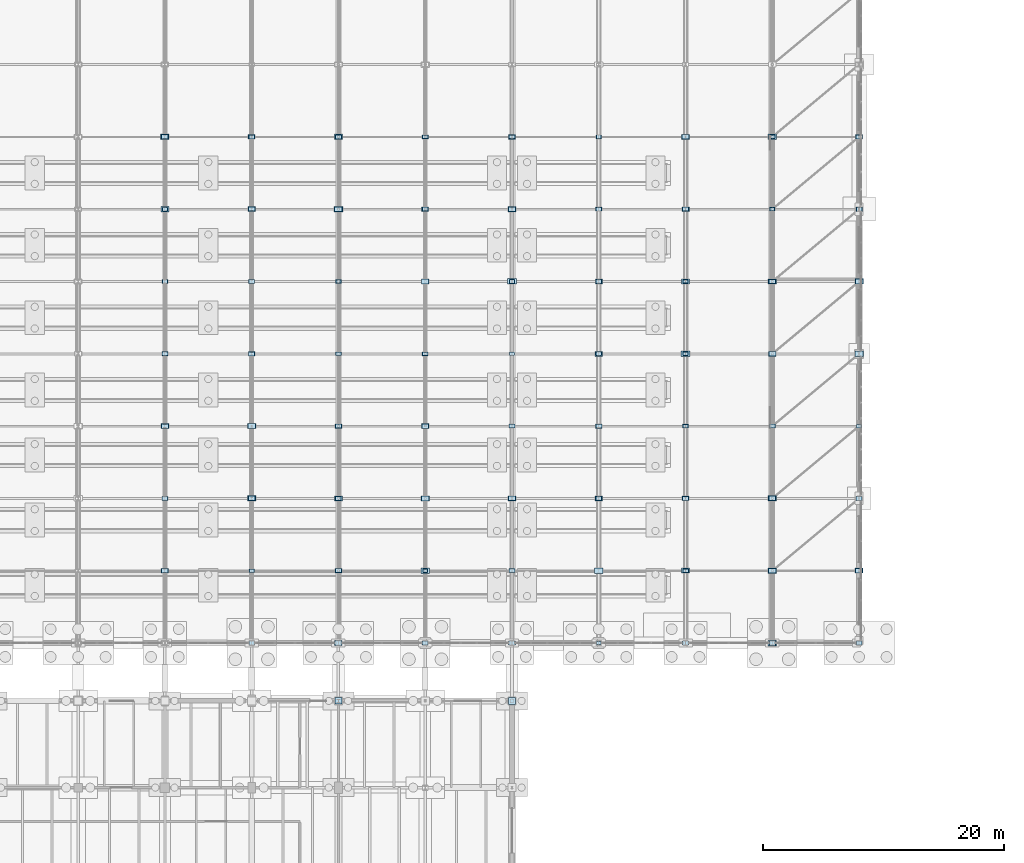
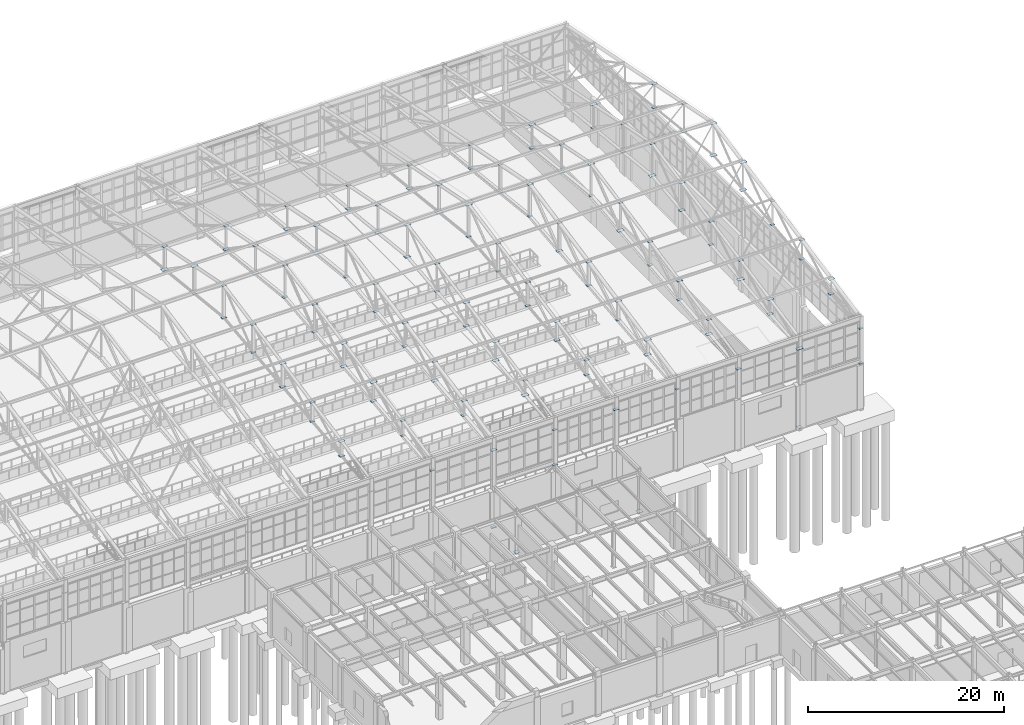
# One storey, part 259 of 293: 140 plates.
"""IFC4 building model written with IfcOpenShell, lengths in metres."""

from ifc_helpers import new_model, si_unit, direction, frame, origin, origin_2d, place, context, subcontext, project, spatial, rectangle, extrude, material, layer, layer_set, type_object, element, save


model = new_model("IFC4")

# Units and contexts
model_context = context("Model", 3, precision=1e-05, world=origin(), true_north=direction((0.0, 1.0)))
body_context = subcontext(model_context, "Body", "Model", "MODEL_VIEW")
ifc_project = project(units=[si_unit("LENGTHUNIT", "METRE"), si_unit("AREAUNIT", "SQUARE_METRE"), si_unit("VOLUMEUNIT", "CUBIC_METRE"), si_unit("PLANEANGLEUNIT", "RADIAN"), si_unit("MASSUNIT", "GRAM", prefix="KILO")], contexts=[model_context])

# Site, building, storey
site_placement = place(None, origin())
site = spatial("IfcSite", under=ifc_project, at=site_placement, CompositionType="ELEMENT")
building_placement = place(site_placement, origin())
building = spatial("IfcBuilding", under=site, at=building_placement, Name="Kemerveld Promenade Tramway Depot", CompositionType="ELEMENT")
storey_placement = place(building_placement, origin())
storey = spatial("IfcBuildingStorey", under=building, at=storey_placement, Name="L00", CompositionType="ELEMENT", Elevation=0.0)

# Plates
ifc_material = material(Name="Steel S355", Category="steel")
ifc_layer_1 = layer(ifc_material, 0.030029296875)
ifc_layer_set_1 = layer_set([ifc_layer_1], Name="PL-BP07")
plate_type_1 = type_object("IfcPlateType", Name="PL-BP07", PredefinedType="USERDEFINED", material=ifc_layer_set_1)
plate_1_placement = place(storey_placement, frame((158.39990234375, 79.199951171875, 0.0), z_axis=(0.0, 0.0, 1.0), x_axis=(1.0, 0.0, 0.0)))
element("IfcPlate", 1, at=plate_1_placement, inside=storey, type_object=plate_type_1, Name="BP-23-M", ObjectType="BASE_PLATE", PredefinedType="USERDEFINED", context=body_context, shape_type="SweptSolid", body=[
    extrude(rectangle(XDim=0.60009765625, YDim=0.60009765625, at=origin_2d()), origin(), (0.0, 0.0, 1.0), 0.030029296875),
])
ifc_layer_2 = layer(ifc_material, 0.02490234375)
ifc_layer_set_2 = layer_set([ifc_layer_2], Name="PL-BP08")
plate_type_2 = type_object("IfcPlateType", Name="PL-BP08", PredefinedType="USERDEFINED", material=ifc_layer_set_2)
plate_2_placement = place(storey_placement, frame((144.0, 79.199951171875, 0.0), z_axis=(0.0, 0.0, 1.0), x_axis=(1.0, 0.0, 0.0)))
element("IfcPlate", 2, at=plate_2_placement, inside=storey, type_object=plate_type_2, Name="BP-21-M", ObjectType="BASE_PLATE", PredefinedType="USERDEFINED", context=body_context, shape_type="SweptSolid", body=[
    extrude(rectangle(XDim=0.550048828125, YDim=0.550048828125, at=origin_2d()), origin(), (0.0, 0.0, 1.0), 0.02490234375),
])
ifc_layer_3 = layer(ifc_material, 0.02490234375)
ifc_layer_set_3 = layer_set([ifc_layer_3], Name="PL-BP11")
plate_type_3 = type_object("IfcPlateType", Name="PL-BP11", PredefinedType="USERDEFINED", material=ifc_layer_set_3)
plate_3_placement = place(storey_placement, frame((180.0, 84.0, 0.0), z_axis=(0.0, 0.0, 1.0), x_axis=(1.0, 0.0, 0.0)))
element("IfcPlate", 3, at=plate_3_placement, inside=storey, type_object=plate_type_3, Name="BP-26-N", ObjectType="BASE_PLATE", PredefinedType="USERDEFINED", context=body_context, shape_type="SweptSolid", body=[
    extrude(rectangle(XDim=0.5, YDim=0.5, at=origin_2d()), origin(), (0.0, 0.0, 1.0), 0.02490234375),
])
ifc_layer_4 = layer(ifc_material, 0.02490234375)
ifc_layer_set_4 = layer_set([ifc_layer_4], Name="PL-GS01")
plate_type_4 = type_object("IfcPlateType", Name="PL-GS01", PredefinedType="USERDEFINED", material=ifc_layer_set_4)
for number, where, z_axis, x_axis, name in (
    (4, (151.199951171875, 96.0, 11.107666015625), (0.0, 0.0, 1.0), (1.0, 0.0, 0.0), "GP-22-02"),
    (5, (129.60009765625, 102.0, 14.6875), (0.0, 0.0, 1.0), (1.0, 0.0, 0.0), "GP-NODE-0316"),
    (6, (136.800048828125, 120.0, 12.427490234375), (0.0, 0.0, 1.0), (1.0, 0.0, 0.0), "GP-NODE-0340"),
    (7, (144.0, 96.0, 11.107666015625), (0.0, 0.0, 1.0), (1.0, 0.0, 0.0), "GP-NODE-0352"),
    (8, (151.199951171875, 114.0, 17.087646484375), (0.0, 0.0, 1.0), (1.0, 0.0, 0.0), "GP-NODE-0376"),
    (9, (158.39990234375, 96.0, 13.487548828125), (0.0, 0.0, 1.0), (1.0, 0.0, 0.0), "GP-NODE-0388"),
    (10, (165.60009765625, 108.0, 12.427490234375), (0.0, 0.0, 1.0), (1.0, 0.0, 0.0), "GP-NODE-0412"),
    (11, (172.800048828125, 90.0, 10.447509765625), (0.0, 0.0, 1.0), (1.0, 0.0, 0.0), "GP-NODE-0424"),
    (12, (172.800048828125, 126.0, 14.6875), (0.0, 0.0, 1.0), (1.0, 0.0, 0.0), "GP-NODE-0436"),
    (13, (180.0, 108.0, 15.887451171875), (0.0, 0.0, 1.0), (1.0, 0.0, 0.0), "GP-NODE-0448"),
    (14, (187.199951171875, 90.0, 12.28759765625), (0.0, 0.0, 1.0), (1.0, 0.0, 0.0), "GP-NODE-0460"),
):
    element("IfcPlate", number, at=place(storey_placement, frame(where, z_axis=z_axis, x_axis=x_axis)), inside=storey, type_object=plate_type_4, Name=name, ObjectType="GUSSET_PLATE", PredefinedType="USERDEFINED", context=body_context, shape_type="SweptSolid", body=[
        extrude(rectangle(XDim=0.64990234375, YDim=0.419921875, at=origin_2d()), origin(), (0.0, 0.0, 1.0), 0.02490234375),
    ])
ifc_layer_5 = layer(ifc_material, 0.02490234375)
ifc_layer_set_5 = layer_set([ifc_layer_5], Name="PL-GS02")
plate_type_5 = type_object("IfcPlateType", Name="PL-GS02", PredefinedType="USERDEFINED", material=ifc_layer_set_5)
for number, where, z_axis, x_axis, name in (
    (15, (151.199951171875, 114.0, 13.087646484375), (0.0, 0.0, 1.0), (1.0, 0.0, 0.0), "GP-22-05"),
    (16, (129.60009765625, 102.0, 11.767578125), (0.0, 0.0, 1.0), (1.0, 0.0, 0.0), "GP-NODE-0317"),
    (17, (136.800048828125, 126.0, 11.767578125), (0.0, 0.0, 1.0), (1.0, 0.0, 0.0), "GP-NODE-0341"),
    (18, (144.0, 102.0, 14.6875), (0.0, 0.0, 1.0), (1.0, 0.0, 0.0), "GP-NODE-0353"),
    (19, (151.199951171875, 120.0, 12.427490234375), (0.0, 0.0, 1.0), (1.0, 0.0, 0.0), "GP-NODE-0377"),
    (20, (158.39990234375, 96.0, 11.107666015625), (0.0, 0.0, 1.0), (1.0, 0.0, 0.0), "GP-NODE-0389"),
    (21, (165.60009765625, 114.0, 17.087646484375), (0.0, 0.0, 1.0), (1.0, 0.0, 0.0), "GP-NODE-0413"),
    (22, (172.800048828125, 96.0, 13.487548828125), (0.0, 0.0, 1.0), (1.0, 0.0, 0.0), "GP-NODE-0425"),
    (23, (180.0, 108.0, 12.427490234375), (0.0, 0.0, 1.0), (1.0, 0.0, 0.0), "GP-NODE-0449"),
    (24, (187.199951171875, 90.0, 10.447509765625), (0.0, 0.0, 1.0), (1.0, 0.0, 0.0), "GP-NODE-0461"),
    (25, (187.199951171875, 126.0, 14.6875), (0.0, 0.0, 1.0), (1.0, 0.0, 0.0), "GP-NODE-0473"),
):
    element("IfcPlate", number, at=place(storey_placement, frame(where, z_axis=z_axis, x_axis=x_axis)), inside=storey, type_object=plate_type_5, Name=name, ObjectType="GUSSET_PLATE", PredefinedType="USERDEFINED", context=body_context, shape_type="SweptSolid", body=[
        extrude(rectangle(XDim=0.580078125, YDim=0.3798828125, at=origin_2d()), origin(), (0.0, 0.0, 1.0), 0.02490234375),
    ])
ifc_layer_6 = layer(ifc_material, 0.02001953125)
ifc_layer_set_6 = layer_set([ifc_layer_6], Name="PL-GS03")
plate_type_6 = type_object("IfcPlateType", Name="PL-GS03", PredefinedType="USERDEFINED", material=ifc_layer_set_6)
for number, where, z_axis, x_axis, name in (
    (26, (129.60009765625, 108.0, 15.889892578125), (0.0, 0.0, 1.0), (1.0, 0.0, 0.0), "GP-NODE-0318"),
    (27, (129.60009765625, 114.0, 13.090087890625), (0.0, 0.0, 1.0), (1.0, 0.0, 0.0), "GP-NODE-0330"),
    (28, (136.800048828125, 120.0, 15.889892578125), (0.0, 0.0, 1.0), (1.0, 0.0, 0.0), "GP-NODE-0342"),
    (29, (144.0, 102.0, 11.77001953125), (0.0, 0.0, 1.0), (1.0, 0.0, 0.0), "GP-NODE-0354"),
    (30, (151.199951171875, 126.0, 11.77001953125), (0.0, 0.0, 1.0), (1.0, 0.0, 0.0), "GP-NODE-0378"),
    (31, (158.39990234375, 102.0, 14.68994140625), (0.0, 0.0, 1.0), (1.0, 0.0, 0.0), "GP-NODE-0390"),
    (32, (165.60009765625, 120.0, 12.429931640625), (0.0, 0.0, 1.0), (1.0, 0.0, 0.0), "GP-NODE-0414"),
    (33, (172.800048828125, 96.0, 11.110107421875), (0.0, 0.0, 1.0), (1.0, 0.0, 0.0), "GP-NODE-0426"),
    (34, (180.0, 114.0, 17.090087890625), (0.0, 0.0, 1.0), (1.0, 0.0, 0.0), "GP-NODE-0450"),
    (35, (187.199951171875, 96.0, 13.489990234375), (0.0, 0.0, 1.0), (1.0, 0.0, 0.0), "GP-NODE-0462"),
):
    element("IfcPlate", number, at=place(storey_placement, frame(where, z_axis=z_axis, x_axis=x_axis)), inside=storey, type_object=plate_type_6, Name=name, ObjectType="GUSSET_PLATE", PredefinedType="USERDEFINED", context=body_context, shape_type="SweptSolid", body=[
        extrude(rectangle(XDim=0.52001953125, YDim=0.340087890625, at=origin_2d()), origin(), (0.0, 0.0, 1.0), 0.02001953125),
    ])
ifc_layer_7 = layer(ifc_material, 0.02001953125)
ifc_layer_set_7 = layer_set([ifc_layer_7], Name="PL-GS04")
plate_type_7 = type_object("IfcPlateType", Name="PL-GS04", PredefinedType="USERDEFINED", material=ifc_layer_set_7)
for number, where, z_axis, x_axis, name in (
    (36, (165.60009765625, 96.0, 11.110107421875), (0.0, 0.0, 1.0), (1.0, 0.0, 0.0), "GP-24-02"),
    (37, (129.60009765625, 108.0, 12.429931640625), (0.0, 0.0, 1.0), (1.0, 0.0, 0.0), "GP-NODE-0319"),
    (38, (136.800048828125, 84.0, 9.7900390625), (0.0, 0.0, 1.0), (1.0, 0.0, 0.0), "GP-NODE-0331"),
    (39, (136.800048828125, 126.0, 14.68994140625), (0.0, 0.0, 1.0), (1.0, 0.0, 0.0), "GP-NODE-0343"),
    (40, (144.0, 108.0, 15.889892578125), (0.0, 0.0, 1.0), (1.0, 0.0, 0.0), "GP-NODE-0355"),
    (41, (144.0, 114.0, 13.090087890625), (0.0, 0.0, 1.0), (1.0, 0.0, 0.0), "GP-NODE-0367"),
    (42, (151.199951171875, 120.0, 15.889892578125), (0.0, 0.0, 1.0), (1.0, 0.0, 0.0), "GP-NODE-0379"),
    (43, (158.39990234375, 102.0, 11.77001953125), (0.0, 0.0, 1.0), (1.0, 0.0, 0.0), "GP-NODE-0391"),
    (44, (165.60009765625, 126.0, 11.77001953125), (0.0, 0.0, 1.0), (1.0, 0.0, 0.0), "GP-NODE-0415"),
    (45, (172.800048828125, 102.0, 14.68994140625), (0.0, 0.0, 1.0), (1.0, 0.0, 0.0), "GP-NODE-0427"),
    (46, (180.0, 120.0, 12.429931640625), (0.0, 0.0, 1.0), (1.0, 0.0, 0.0), "GP-NODE-0451"),
    (47, (187.199951171875, 96.0, 11.110107421875), (0.0, 0.0, 1.0), (1.0, 0.0, 0.0), "GP-NODE-0463"),
):
    element("IfcPlate", number, at=place(storey_placement, frame(where, z_axis=z_axis, x_axis=x_axis)), inside=storey, type_object=plate_type_7, Name=name, ObjectType="GUSSET_PLATE", PredefinedType="USERDEFINED", context=body_context, shape_type="SweptSolid", body=[
        extrude(rectangle(XDim=0.47998046875, YDim=0.320068359375, at=origin_2d()), origin(), (0.0, 0.0, 1.0), 0.02001953125),
    ])
ifc_layer_8 = layer(ifc_material, 0.02001953125)
ifc_layer_set_8 = layer_set([ifc_layer_8], Name="PL-GS05")
plate_type_8 = type_object("IfcPlateType", Name="PL-GS05", PredefinedType="USERDEFINED", material=ifc_layer_set_8)
for number, where, z_axis, x_axis, name in (
    (48, (165.60009765625, 114.0, 13.090087890625), (0.0, 0.0, 1.0), (1.0, 0.0, 0.0), "GP-24-05"),
    (49, (129.60009765625, 114.0, 17.090087890625), (0.0, 0.0, 1.0), (1.0, 0.0, 0.0), "GP-NODE-0320"),
    (50, (136.800048828125, 90.0, 12.2900390625), (0.0, 0.0, 1.0), (1.0, 0.0, 0.0), "GP-NODE-0332"),
    (51, (144.0, 108.0, 12.429931640625), (0.0, 0.0, 1.0), (1.0, 0.0, 0.0), "GP-NODE-0356"),
    (52, (151.199951171875, 84.0, 9.7900390625), (0.0, 0.0, 1.0), (1.0, 0.0, 0.0), "GP-NODE-0368"),
    (53, (151.199951171875, 126.0, 14.68994140625), (0.0, 0.0, 1.0), (1.0, 0.0, 0.0), "GP-NODE-0380"),
    (54, (158.39990234375, 108.0, 15.889892578125), (0.0, 0.0, 1.0), (1.0, 0.0, 0.0), "GP-NODE-0392"),
    (55, (158.39990234375, 114.0, 13.090087890625), (0.0, 0.0, 1.0), (1.0, 0.0, 0.0), "GP-NODE-0404"),
    (56, (165.60009765625, 120.0, 15.889892578125), (0.0, 0.0, 1.0), (1.0, 0.0, 0.0), "GP-NODE-0416"),
    (57, (172.800048828125, 102.0, 11.77001953125), (0.0, 0.0, 1.0), (1.0, 0.0, 0.0), "GP-NODE-0428"),
    (58, (180.0, 126.0, 11.77001953125), (0.0, 0.0, 1.0), (1.0, 0.0, 0.0), "GP-NODE-0452"),
    (59, (187.199951171875, 102.0, 14.68994140625), (0.0, 0.0, 1.0), (1.0, 0.0, 0.0), "GP-NODE-0464"),
):
    element("IfcPlate", number, at=place(storey_placement, frame(where, z_axis=z_axis, x_axis=x_axis)), inside=storey, type_object=plate_type_8, Name=name, ObjectType="GUSSET_PLATE", PredefinedType="USERDEFINED", context=body_context, shape_type="SweptSolid", body=[
        extrude(rectangle(XDim=0.43994140625, YDim=0.300048828125, at=origin_2d()), origin(), (0.0, 0.0, 1.0), 0.02001953125),
    ])
ifc_layer_9 = layer(ifc_material, 0.01806640625)
ifc_layer_set_9 = layer_set([ifc_layer_9], Name="PL-GS06")
plate_type_9 = type_object("IfcPlateType", Name="PL-GS06", PredefinedType="USERDEFINED", material=ifc_layer_set_9)
for number, where, z_axis, x_axis, name in (
    (60, (129.60009765625, 120.0, 12.430908203125), (0.0, 0.0, 1.0), (1.0, 0.0, 0.0), "GP-NODE-0321"),
    (61, (136.800048828125, 90.0, 10.450927734375), (0.0, 0.0, 1.0), (1.0, 0.0, 0.0), "GP-NODE-0333"),
    (62, (144.0, 114.0, 17.091064453125), (0.0, 0.0, 1.0), (1.0, 0.0, 0.0), "GP-NODE-0357"),
    (63, (151.199951171875, 90.0, 12.291015625), (0.0, 0.0, 1.0), (1.0, 0.0, 0.0), "GP-NODE-0369"),
    (64, (158.39990234375, 108.0, 12.430908203125), (0.0, 0.0, 1.0), (1.0, 0.0, 0.0), "GP-NODE-0393"),
    (65, (165.60009765625, 84.0, 9.791015625), (0.0, 0.0, 1.0), (1.0, 0.0, 0.0), "GP-NODE-0405"),
    (66, (165.60009765625, 126.0, 14.69091796875), (0.0, 0.0, 1.0), (1.0, 0.0, 0.0), "GP-NODE-0417"),
    (67, (172.800048828125, 108.0, 15.890869140625), (0.0, 0.0, 1.0), (1.0, 0.0, 0.0), "GP-NODE-0429"),
    (68, (172.800048828125, 114.0, 13.091064453125), (0.0, 0.0, 1.0), (1.0, 0.0, 0.0), "GP-NODE-0441"),
    (69, (180.0, 120.0, 15.890869140625), (0.0, 0.0, 1.0), (1.0, 0.0, 0.0), "GP-NODE-0453"),
    (70, (187.199951171875, 102.0, 11.77099609375), (0.0, 0.0, 1.0), (1.0, 0.0, 0.0), "GP-NODE-0465"),
):
    element("IfcPlate", number, at=place(storey_placement, frame(where, z_axis=z_axis, x_axis=x_axis)), inside=storey, type_object=plate_type_9, Name=name, ObjectType="GUSSET_PLATE", PredefinedType="USERDEFINED", context=body_context, shape_type="SweptSolid", body=[
        extrude(rectangle(XDim=0.39990234375, YDim=0.280029296875, at=origin_2d()), origin(), (0.0, 0.0, 1.0), 0.01806640625),
    ])
ifc_layer_10 = layer(ifc_material, 0.028076171875)
ifc_layer_set_10 = layer_set([ifc_layer_10], Name="PL-GS07")
plate_type_10 = type_object("IfcPlateType", Name="PL-GS07", PredefinedType="USERDEFINED", material=ifc_layer_set_10)
for number, where, z_axis, x_axis, name in (
    (71, (180.0, 96.0, 11.10595703125), (0.0, 0.0, 1.0), (1.0, 0.0, 0.0), "GP-26-02"),
    (72, (129.60009765625, 126.0, 11.76611328125), (0.0, 0.0, 1.0), (1.0, 0.0, 0.0), "GP-NODE-0322"),
    (73, (136.800048828125, 96.0, 13.48583984375), (0.0, 0.0, 1.0), (1.0, 0.0, 0.0), "GP-NODE-0334"),
    (74, (144.0, 120.0, 12.42578125), (0.0, 0.0, 1.0), (1.0, 0.0, 0.0), "GP-NODE-0358"),
    (75, (151.199951171875, 90.0, 10.44580078125), (0.0, 0.0, 1.0), (1.0, 0.0, 0.0), "GP-NODE-0370"),
    (76, (158.39990234375, 114.0, 17.0859375), (0.0, 0.0, 1.0), (1.0, 0.0, 0.0), "GP-NODE-0394"),
    (77, (165.60009765625, 90.0, 12.2861328125), (0.0, 0.0, 1.0), (1.0, 0.0, 0.0), "GP-NODE-0406"),
    (78, (172.800048828125, 108.0, 12.42578125), (0.0, 0.0, 1.0), (1.0, 0.0, 0.0), "GP-NODE-0430"),
    (79, (180.0, 84.0, 9.7861328125), (0.0, 0.0, 1.0), (1.0, 0.0, 0.0), "GP-NODE-0442"),
    (80, (180.0, 126.0, 14.68603515625), (0.0, 0.0, 1.0), (1.0, 0.0, 0.0), "GP-NODE-0454"),
    (81, (187.199951171875, 108.0, 15.8857421875), (0.0, 0.0, 1.0), (1.0, 0.0, 0.0), "GP-NODE-0466"),
    (82, (187.199951171875, 114.0, 13.0859375), (0.0, 0.0, 1.0), (1.0, 0.0, 0.0), "GP-NODE-0478"),
):
    element("IfcPlate", number, at=place(storey_placement, frame(where, z_axis=z_axis, x_axis=x_axis)), inside=storey, type_object=plate_type_10, Name=name, ObjectType="GUSSET_PLATE", PredefinedType="USERDEFINED", context=body_context, shape_type="SweptSolid", body=[
        extrude(rectangle(XDim=0.719970703125, YDim=0.4599609375, at=origin_2d()), origin(), (0.0, 0.0, 1.0), 0.028076171875),
    ])
ifc_layer_11 = layer(ifc_material, 0.02587890625)
ifc_layer_set_11 = layer_set([ifc_layer_11], Name="PL-GS08")
plate_type_11 = type_object("IfcPlateType", Name="PL-GS08", PredefinedType="USERDEFINED", material=ifc_layer_set_11)
for number, where, z_axis, x_axis, name in (
    (83, (180.0, 114.0, 13.087158203125), (0.0, 0.0, 1.0), (1.0, 0.0, 0.0), "GP-26-05"),
    (84, (129.60009765625, 120.0, 15.886962890625), (0.0, 0.0, 1.0), (1.0, 0.0, 0.0), "GP-NODE-0323"),
    (85, (136.800048828125, 102.0, 14.68701171875), (0.0, 0.0, 1.0), (1.0, 0.0, 0.0), "GP-NODE-0335"),
    (86, (144.0, 126.0, 11.76708984375), (0.0, 0.0, 1.0), (1.0, 0.0, 0.0), "GP-NODE-0359"),
    (87, (151.199951171875, 96.0, 13.487060546875), (0.0, 0.0, 1.0), (1.0, 0.0, 0.0), "GP-NODE-0371"),
    (88, (158.39990234375, 120.0, 12.427001953125), (0.0, 0.0, 1.0), (1.0, 0.0, 0.0), "GP-NODE-0395"),
    (89, (165.60009765625, 90.0, 10.447021484375), (0.0, 0.0, 1.0), (1.0, 0.0, 0.0), "GP-NODE-0407"),
    (90, (172.800048828125, 114.0, 17.087158203125), (0.0, 0.0, 1.0), (1.0, 0.0, 0.0), "GP-NODE-0431"),
    (91, (180.0, 90.0, 12.287109375), (0.0, 0.0, 1.0), (1.0, 0.0, 0.0), "GP-NODE-0443"),
    (92, (187.199951171875, 108.0, 12.427001953125), (0.0, 0.0, 1.0), (1.0, 0.0, 0.0), "GP-NODE-0467"),
):
    element("IfcPlate", number, at=place(storey_placement, frame(where, z_axis=z_axis, x_axis=x_axis)), inside=storey, type_object=plate_type_11, Name=name, ObjectType="GUSSET_PLATE", PredefinedType="USERDEFINED", context=body_context, shape_type="SweptSolid", body=[
        extrude(rectangle(XDim=0.679931640625, YDim=0.43994140625, at=origin_2d()), origin(), (0.0, 0.0, 1.0), 0.02587890625),
    ])
ifc_layer_12 = layer(ifc_material, 0.02392578125)
ifc_layer_set_12 = layer_set([ifc_layer_12], Name="PL-GS09")
plate_type_12 = type_object("IfcPlateType", Name="PL-GS09", PredefinedType="USERDEFINED", material=ifc_layer_set_12)
for number, where, z_axis, x_axis, name in (
    (93, (129.60009765625, 90.0, 12.2880859375), (0.0, 0.0, 1.0), (1.0, 0.0, 0.0), "GP-NODE-0312"),
    (94, (136.800048828125, 102.0, 11.76806640625), (0.0, 0.0, 1.0), (1.0, 0.0, 0.0), "GP-NODE-0336"),
    (95, (144.0, 84.0, 9.7880859375), (0.0, 0.0, 1.0), (1.0, 0.0, 0.0), "GP-NODE-0348"),
    (96, (144.0, 120.0, 15.887939453125), (0.0, 0.0, 1.0), (1.0, 0.0, 0.0), "GP-NODE-0360"),
    (97, (151.199951171875, 102.0, 14.68798828125), (0.0, 0.0, 1.0), (1.0, 0.0, 0.0), "GP-NODE-0372"),
    (98, (158.39990234375, 126.0, 11.76806640625), (0.0, 0.0, 1.0), (1.0, 0.0, 0.0), "GP-NODE-0396"),
    (99, (165.60009765625, 96.0, 13.488037109375), (0.0, 0.0, 1.0), (1.0, 0.0, 0.0), "GP-NODE-0408"),
    (100, (172.800048828125, 120.0, 12.427978515625), (0.0, 0.0, 1.0), (1.0, 0.0, 0.0), "GP-NODE-0432"),
    (101, (180.0, 90.0, 10.447998046875), (0.0, 0.0, 1.0), (1.0, 0.0, 0.0), "GP-NODE-0444"),
    (102, (187.199951171875, 114.0, 17.088134765625), (0.0, 0.0, 1.0), (1.0, 0.0, 0.0), "GP-NODE-0468"),
):
    element("IfcPlate", number, at=place(storey_placement, frame(where, z_axis=z_axis, x_axis=x_axis)), inside=storey, type_object=plate_type_12, Name=name, ObjectType="GUSSET_PLATE", PredefinedType="USERDEFINED", context=body_context, shape_type="SweptSolid", body=[
        extrude(rectangle(XDim=0.6201171875, YDim=0.39990234375, at=origin_2d()), origin(), (0.0, 0.0, 1.0), 0.02392578125),
    ])
ifc_layer_13 = layer(ifc_material, 0.02197265625)
ifc_layer_set_13 = layer_set([ifc_layer_13], Name="PL-GS10")
plate_type_13 = type_object("IfcPlateType", Name="PL-GS10", PredefinedType="USERDEFINED", material=ifc_layer_set_13)
for number, where, z_axis, x_axis, name in (
    (103, (136.800048828125, 96.0, 11.109130859375), (0.0, 0.0, 1.0), (1.0, 0.0, 0.0), "GP-20-02"),
    (104, (144.0, 84.0, 0.18896484375), (0.0, 0.0, 1.0), (1.0, 0.0, 0.0), "GP-NODE-0061"),
    (105, (129.60009765625, 90.0, 10.448974609375), (0.0, 0.0, 1.0), (1.0, 0.0, 0.0), "GP-NODE-0313"),
    (106, (129.60009765625, 126.0, 14.68896484375), (0.0, 0.0, 1.0), (1.0, 0.0, 0.0), "GP-NODE-0325"),
    (107, (136.800048828125, 108.0, 15.888916015625), (0.0, 0.0, 1.0), (1.0, 0.0, 0.0), "GP-NODE-0337"),
    (108, (144.0, 90.0, 12.2890625), (0.0, 0.0, 1.0), (1.0, 0.0, 0.0), "GP-NODE-0349"),
    (109, (151.199951171875, 102.0, 11.76904296875), (0.0, 0.0, 1.0), (1.0, 0.0, 0.0), "GP-NODE-0373"),
    (110, (158.39990234375, 84.0, 9.7890625), (0.0, 0.0, 1.0), (1.0, 0.0, 0.0), "GP-NODE-0385"),
    (111, (158.39990234375, 120.0, 15.888916015625), (0.0, 0.0, 1.0), (1.0, 0.0, 0.0), "GP-NODE-0397"),
    (112, (165.60009765625, 102.0, 14.68896484375), (0.0, 0.0, 1.0), (1.0, 0.0, 0.0), "GP-NODE-0409"),
    (113, (172.800048828125, 126.0, 11.76904296875), (0.0, 0.0, 1.0), (1.0, 0.0, 0.0), "GP-NODE-0433"),
    (114, (180.0, 96.0, 13.489013671875), (0.0, 0.0, 1.0), (1.0, 0.0, 0.0), "GP-NODE-0445"),
    (115, (187.199951171875, 120.0, 12.428955078125), (0.0, 0.0, 1.0), (1.0, 0.0, 0.0), "GP-NODE-0469"),
):
    element("IfcPlate", number, at=place(storey_placement, frame(where, z_axis=z_axis, x_axis=x_axis)), inside=storey, type_object=plate_type_13, Name=name, ObjectType="GUSSET_PLATE", PredefinedType="USERDEFINED", context=body_context, shape_type="SweptSolid", body=[
        extrude(rectangle(XDim=0.550048828125, YDim=0.360107421875, at=origin_2d()), origin(), (0.0, 0.0, 1.0), 0.02197265625),
    ])
ifc_layer_14 = layer(ifc_material, 0.02001953125)
ifc_layer_set_14 = layer_set([ifc_layer_14], Name="PL-GS11")
plate_type_14 = type_object("IfcPlateType", Name="PL-GS11", PredefinedType="USERDEFINED", material=ifc_layer_set_14)
for number, where, z_axis, x_axis, name in (
    (116, (136.800048828125, 114.0, 13.090087890625), (0.0, 0.0, 1.0), (1.0, 0.0, 0.0), "GP-20-05"),
    (117, (151.199951171875, 84.0, 5.453369140625), (0.0, 0.0, 1.0), (1.0, 0.0, 0.0), "GP-NODE-0062"),
    (118, (129.60009765625, 96.0, 13.489990234375), (0.0, 0.0, 1.0), (1.0, 0.0, 0.0), "GP-NODE-0314"),
    (119, (136.800048828125, 108.0, 12.429931640625), (0.0, 0.0, 1.0), (1.0, 0.0, 0.0), "GP-NODE-0338"),
    (120, (144.0, 90.0, 10.449951171875), (0.0, 0.0, 1.0), (1.0, 0.0, 0.0), "GP-NODE-0350"),
    (121, (144.0, 126.0, 14.68994140625), (0.0, 0.0, 1.0), (1.0, 0.0, 0.0), "GP-NODE-0362"),
    (122, (151.199951171875, 108.0, 15.889892578125), (0.0, 0.0, 1.0), (1.0, 0.0, 0.0), "GP-NODE-0374"),
    (123, (158.39990234375, 90.0, 12.2900390625), (0.0, 0.0, 1.0), (1.0, 0.0, 0.0), "GP-NODE-0386"),
    (124, (165.60009765625, 102.0, 11.77001953125), (0.0, 0.0, 1.0), (1.0, 0.0, 0.0), "GP-NODE-0410"),
    (125, (172.800048828125, 84.0, 9.7900390625), (0.0, 0.0, 1.0), (1.0, 0.0, 0.0), "GP-NODE-0422"),
    (126, (172.800048828125, 120.0, 15.889892578125), (0.0, 0.0, 1.0), (1.0, 0.0, 0.0), "GP-NODE-0434"),
    (127, (180.0, 102.0, 14.68994140625), (0.0, 0.0, 1.0), (1.0, 0.0, 0.0), "GP-NODE-0446"),
    (128, (187.199951171875, 126.0, 11.77001953125), (0.0, 0.0, 1.0), (1.0, 0.0, 0.0), "GP-NODE-0470"),
):
    element("IfcPlate", number, at=place(storey_placement, frame(where, z_axis=z_axis, x_axis=x_axis)), inside=storey, type_object=plate_type_14, Name=name, ObjectType="GUSSET_PLATE", PredefinedType="USERDEFINED", context=body_context, shape_type="SweptSolid", body=[
        extrude(rectangle(XDim=0.5, YDim=0.330078125, at=origin_2d()), origin(), (0.0, 0.0, 1.0), 0.02001953125),
    ])
ifc_layer_15 = layer(ifc_material, 0.01806640625)
ifc_layer_set_15 = layer_set([ifc_layer_15], Name="PL-GS12")
plate_type_15 = type_object("IfcPlateType", Name="PL-GS12", PredefinedType="USERDEFINED", material=ifc_layer_set_15)
for number, where, z_axis, x_axis, name in (
    (129, (187.199951171875, 84.0, 5.454345703125), (0.0, 0.0, 1.0), (1.0, 0.0, 0.0), "GP-NODE-0063"),
    (130, (129.60009765625, 96.0, 11.111083984375), (0.0, 0.0, 1.0), (1.0, 0.0, 0.0), "GP-NODE-0315"),
    (131, (136.800048828125, 114.0, 17.091064453125), (0.0, 0.0, 1.0), (1.0, 0.0, 0.0), "GP-NODE-0339"),
    (132, (144.0, 96.0, 13.490966796875), (0.0, 0.0, 1.0), (1.0, 0.0, 0.0), "GP-NODE-0351"),
    (133, (151.199951171875, 108.0, 12.430908203125), (0.0, 0.0, 1.0), (1.0, 0.0, 0.0), "GP-NODE-0375"),
    (134, (158.39990234375, 90.0, 10.450927734375), (0.0, 0.0, 1.0), (1.0, 0.0, 0.0), "GP-NODE-0387"),
    (135, (158.39990234375, 126.0, 14.69091796875), (0.0, 0.0, 1.0), (1.0, 0.0, 0.0), "GP-NODE-0399"),
    (136, (165.60009765625, 108.0, 15.890869140625), (0.0, 0.0, 1.0), (1.0, 0.0, 0.0), "GP-NODE-0411"),
    (137, (172.800048828125, 90.0, 12.291015625), (0.0, 0.0, 1.0), (1.0, 0.0, 0.0), "GP-NODE-0423"),
    (138, (180.0, 102.0, 11.77099609375), (0.0, 0.0, 1.0), (1.0, 0.0, 0.0), "GP-NODE-0447"),
    (139, (187.199951171875, 84.0, 9.791015625), (0.0, 0.0, 1.0), (1.0, 0.0, 0.0), "GP-NODE-0459"),
    (140, (187.199951171875, 120.0, 15.890869140625), (0.0, 0.0, 1.0), (1.0, 0.0, 0.0), "GP-NODE-0471"),
):
    element("IfcPlate", number, at=place(storey_placement, frame(where, z_axis=z_axis, x_axis=x_axis)), inside=storey, type_object=plate_type_15, Name=name, ObjectType="GUSSET_PLATE", PredefinedType="USERDEFINED", context=body_context, shape_type="SweptSolid", body=[
        extrude(rectangle(XDim=0.4599609375, YDim=0.31005859375, at=origin_2d()), origin(), (0.0, 0.0, 1.0), 0.01806640625),
    ])

save(model, "model.ifc")
